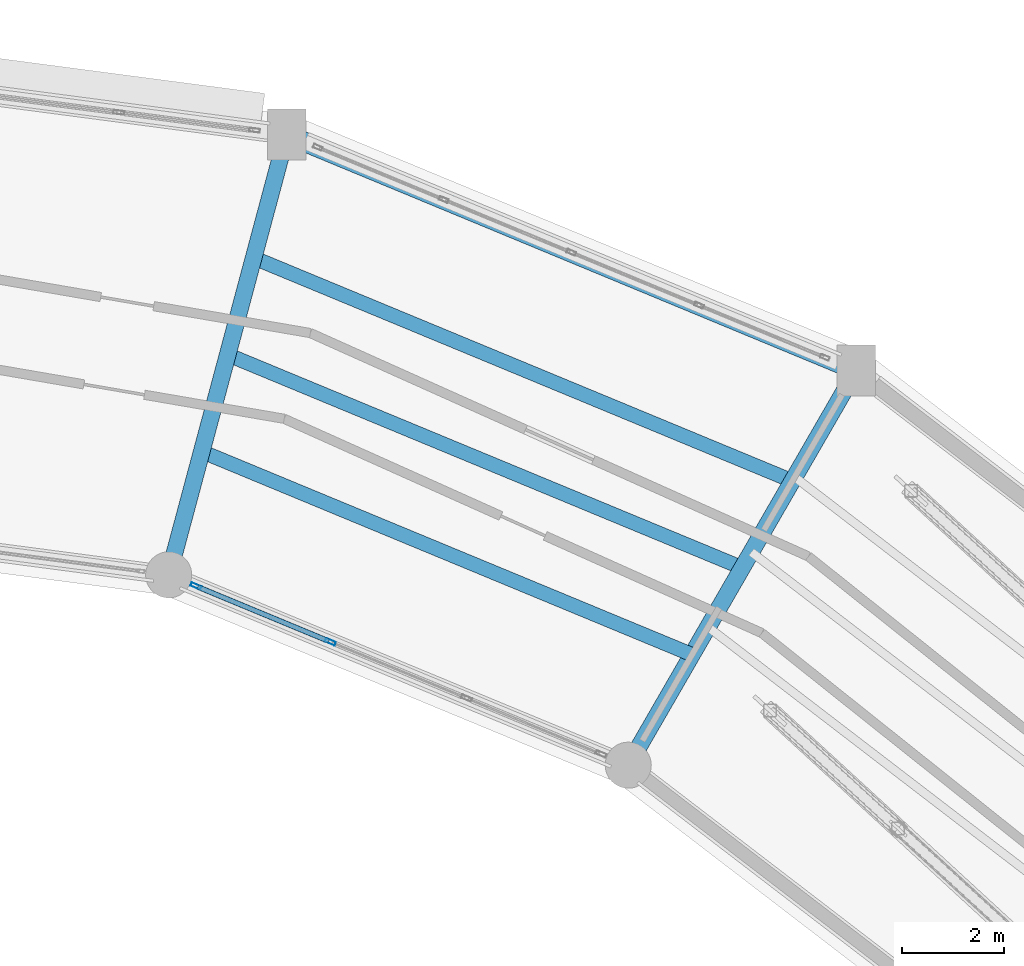
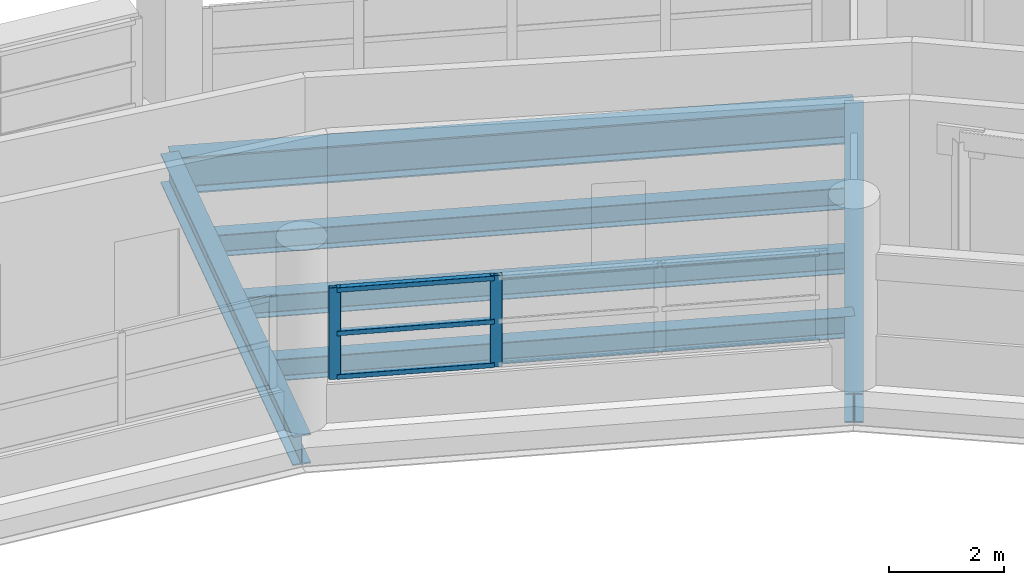
# One storey, part 58 of 121: 6 beams, 5 members, 1 element without a shape of its own.
"""IFC4 building model written with IfcOpenShell, lengths in metres."""

import ifcopenshell
import ifcopenshell.guid

model = None  # the IFC model being written
_history = None  # IfcOwnerHistory: only IFC2X3 demands one
_inside = {}  # id of a spatial element -> (the spatial element, [elements in it])
_under = {}  # id of a project, library or spatial element -> (it, [spatial elements below it])
_declared = {}  # id of a project -> (the project, [libraries it declares])
_typed = {}  # id of a type object -> (the type object, [elements of that type])
_made_of = {}  # id of a material, layer set ... -> (it, [elements and type objects made of it])


def new_model(schema):
    """Start an empty IFC model of exactly this schema.

    Asked for "IFC4X3", IfcOpenShell would pick the latest addendum, in which some entities
    have other attributes; the version numbers below select the first issue.
    IFC2X3 requires an IfcOwnerHistory on every rooted entity: one is made here for all.
    """
    global model, _history
    if schema == "IFC4X3":
        model = ifcopenshell.file(schema_version=(4, 3, 0, 0))
    else:
        model = ifcopenshell.file(schema=schema)
    _inside.clear()
    _under.clear()
    _declared.clear()
    _typed.clear()
    _made_of.clear()
    _history = None
    if model.schema == "IFC2X3":
        org = make("IfcOrganization", Name="unknown")
        user = make(
            "IfcPersonAndOrganization",
            ThePerson=make("IfcPerson", FamilyName="unknown"),
            TheOrganization=org,
        )
        app = make(
            "IfcApplication",
            ApplicationDeveloper=org,
            Version="unknown",
            ApplicationFullName="unknown",
            ApplicationIdentifier="unknown",
        )
        _history = make(
            "IfcOwnerHistory",
            OwningUser=user,
            OwningApplication=app,
            ChangeAction="ADDED",
            CreationDate=0,
        )
    return model


def make(cls, **values):
    """One entity of the class cls with the attributes given. An attribute that is None is left unset."""
    return model.create_entity(
        cls, **{name: value for name, value in values.items() if value is not None}
    )


def rooted(cls, **values):
    """An entity with a GlobalId (a new one), such as an element, a storey or a relation."""
    return make(cls, GlobalId=ifcopenshell.guid.new(), OwnerHistory=_history, **values)


def si_unit(unit_type, name, prefix=None):
    """IfcSIUnit, for example si_unit("LENGTHUNIT", "METRE", prefix="MILLI")."""
    return make("IfcSIUnit", UnitType=unit_type, Prefix=prefix, Name=name)


def assignment(units):
    """IfcUnitAssignment: the units of a project."""
    return None if units is None else make("IfcUnitAssignment", Units=units)


def point(xyz):
    """IfcCartesianPoint."""
    return None if xyz is None else make("IfcCartesianPoint", Coordinates=xyz)


def direction(xyz):
    """IfcDirection."""
    return None if xyz is None else make("IfcDirection", DirectionRatios=xyz)


def frame(location, z_axis=None, x_axis=None):
    """IfcAxis2Placement3D, a coordinate frame: its origin and axes. An axis left out is left unset."""
    return make(
        "IfcAxis2Placement3D",
        Location=point(location),
        Axis=direction(z_axis),
        RefDirection=direction(x_axis),
    )


def frame_2d(location, x_axis=None):
    """IfcAxis2Placement2D, a coordinate frame in the plane: its origin and x axis."""
    return make(
        "IfcAxis2Placement2D", Location=point(location), RefDirection=direction(x_axis)
    )


def origin():
    """The frame at (0, 0, 0) with its axes left unset."""
    return frame((0.0, 0.0, 0.0))


def origin_2d():
    """The frame at (0, 0) in the plane with its x axis left unset."""
    return frame_2d((0.0, 0.0))


def place(relative_to, where):
    """IfcLocalPlacement: puts the frame where relative to a parent placement (None: the world)."""
    return make(
        "IfcLocalPlacement", PlacementRelTo=relative_to, RelativePlacement=where
    )


def context(
    kind, dimensions, precision=None, world=None, true_north=None, identifier=None
):
    """IfcGeometricRepresentationContext, for example the 3D "Model" context."""
    return make(
        "IfcGeometricRepresentationContext",
        ContextIdentifier=identifier,
        ContextType=kind,
        CoordinateSpaceDimension=dimensions,
        Precision=precision,
        WorldCoordinateSystem=world,
        TrueNorth=true_north,
    )


def subcontext(parent, identifier, kind, view, scale=None):
    """IfcGeometricRepresentationSubContext, for example "Body" below "Model"."""
    return make(
        "IfcGeometricRepresentationSubContext",
        ContextIdentifier=identifier,
        ContextType=kind,
        ParentContext=parent,
        TargetScale=scale,
        TargetView=view,
    )


def project(units=None, contexts=None):
    """IfcProject with its units and contexts."""
    return rooted(
        "IfcProject",
        Name="project",
        RepresentationContexts=contexts,
        UnitsInContext=assignment(units),
    )


def spatial(cls, under=None, at=None, **own):
    """A site, building, storey or space (cls), placed at a placement, below another one or the project."""
    s = rooted(cls, ObjectPlacement=at, **own)
    if under is not None:
        _under.setdefault(under.id(), (under, []))[1].append(s)
    return s


def profile(cls, at=None, kind="AREA", **sizes):
    """A parametric profile (cls). Its sizes go by their IFC names, for example OverallWidth=200.0."""
    return make(cls, ProfileType=kind, Position=at, **sizes)


def hollow_rectangle(**sizes):
    """IfcRectangleHollowProfileDef."""
    return profile("IfcRectangleHollowProfileDef", **sizes)


def i_section(**sizes):
    """IfcIShapeProfileDef."""
    return profile("IfcIShapeProfileDef", **sizes)


def extrude(swept, where, along, depth):
    """IfcExtrudedAreaSolid: the profile swept, set in the frame where, extruded along a direction by depth."""
    return make(
        "IfcExtrudedAreaSolid",
        SweptArea=swept,
        Position=where,
        ExtrudedDirection=direction(along),
        Depth=depth,
    )


def shape(context_of_items, identifier, shape_type, items):
    """IfcShapeRepresentation: the items that make up one representation, for example the "Body"."""
    return make(
        "IfcShapeRepresentation",
        ContextOfItems=context_of_items,
        RepresentationIdentifier=identifier,
        RepresentationType=shape_type,
        Items=items,
    )


def material(Name=None, Category=None):
    """IfcMaterial."""
    return make("IfcMaterial", Name=Name, Category=Category)


def layer(
    of_material, thickness, ventilated=None, Name=None, Category=None, Priority=None
):
    """IfcMaterialLayer: one layer of a wall or slab, of a material (None: an air gap)."""
    return make(
        "IfcMaterialLayer",
        Material=of_material,
        LayerThickness=thickness,
        IsVentilated=ventilated,
        Name=Name,
        Category=Category,
        Priority=Priority,
    )


def layer_set(layers, Name=None):
    """IfcMaterialLayerSet."""
    return make("IfcMaterialLayerSet", MaterialLayers=layers, LayerSetName=Name)


def material_profile(
    of_material, cross_section, Name=None, Category=None, Priority=None
):
    """IfcMaterialProfile: a cross section and its material."""
    return make(
        "IfcMaterialProfile",
        Name=Name,
        Material=of_material,
        Profile=cross_section,
        Priority=Priority,
        Category=Category,
    )


def profile_set(profiles, Name=None, composite=None):
    """IfcMaterialProfileSet."""
    return make(
        "IfcMaterialProfileSet",
        Name=Name,
        MaterialProfiles=profiles,
        CompositeProfile=composite,
    )


def made_of(thing, what):
    """Note that an element or type object is made of a material, layer set ...; save() writes the relation."""
    if what is not None:
        _made_of.setdefault(what.id(), (what, []))[1].append(thing)
    return thing


def type_object(cls, material=None, **own):
    """A type object (cls), such as IfcWallType, which elements share."""
    return made_of(rooted(cls, **own), material)


def element(
    cls,
    number,
    at=None,
    inside=None,
    cuts=None,
    type_object=None,
    material=None,
    context=None,
    identifier="Body",
    shape_type=None,
    held_by="IfcProductDefinitionShape",
    body=None,
    shapes=None,
    **own,
):
    """One element of the class cls, such as IfcWall. Its Tag is "e" and its number.

    at: its placement. inside: the storey or other place that contains it. cuts: it is an
    opening in that element (IfcRelVoidsElement). A single representation is given by context,
    identifier, shape_type and body (its items); several are given by shapes. held_by: the class
    of the entity that holds the representations. save() writes the other relations.
    """
    e = rooted(cls, Tag="e%d" % number, ObjectPlacement=at, **own)
    if body is not None:
        shapes = [shape(context, identifier, shape_type, body)]
    if shapes is not None:
        e.Representation = make(held_by, Representations=shapes)
    if inside is not None:
        _inside.setdefault(inside.id(), (inside, []))[1].append(e)
    if cuts is not None:
        rooted(
            "IfcRelVoidsElement", RelatingBuildingElement=cuts, RelatedOpeningElement=e
        )
    if type_object is not None:
        _typed.setdefault(type_object.id(), (type_object, []))[1].append(e)
    return made_of(e, material)


def aggregate(whole, parts):
    """IfcRelAggregates: a whole, such as a stair, and the parts it consists of."""
    return rooted("IfcRelAggregates", RelatingObject=whole, RelatedObjects=parts)


def save(model, path):
    """Write the relations noted so far, then the file.

    IfcRelAggregates (storeys below a building ...), IfcRelContainedInSpatialStructure (elements
    in a storey), IfcRelDefinesByType, IfcRelAssociatesMaterial and IfcRelDeclares: one each for
    every whole, place, type object, material and project.
    """
    for whole, parts in _under.values():
        aggregate(whole, parts)
    for where, things in _inside.values():
        rooted(
            "IfcRelContainedInSpatialStructure",
            RelatedElements=things,
            RelatingStructure=where,
        )
    for kind, things in _typed.values():
        rooted("IfcRelDefinesByType", RelatedObjects=things, RelatingType=kind)
    for what, things in _made_of.values():
        rooted("IfcRelAssociatesMaterial", RelatedObjects=things, RelatingMaterial=what)
    for by, libraries in _declared.values():
        rooted("IfcRelDeclares", RelatingContext=by, RelatedDefinitions=libraries)
    model.write(path)


model = new_model("IFC4")

# Units and contexts
model_context = context("Model", 3, precision=1e-05, world=origin(), true_north=direction((0.0, 1.0)))
body_context = subcontext(model_context, "Body", "Model", "MODEL_VIEW")
ifc_project = project(units=[si_unit("LENGTHUNIT", "METRE"), si_unit("AREAUNIT", "SQUARE_METRE"), si_unit("VOLUMEUNIT", "CUBIC_METRE"), si_unit("PLANEANGLEUNIT", "RADIAN"), si_unit("MASSUNIT", "GRAM", prefix="KILO")], contexts=[model_context])

# Site, building, storey
site_placement = place(None, origin())
site = spatial("IfcSite", under=ifc_project, at=site_placement, CompositionType="ELEMENT")
building_placement = place(site_placement, origin())
building = spatial("IfcBuilding", under=site, at=building_placement, Name="Vespera Passage Community Centre", CompositionType="ELEMENT")
storey_placement = place(building_placement, frame((0.0, 0.0, 8.699951171875)))
storey = spatial("IfcBuildingStorey", under=building, at=storey_placement, Name="L02", CompositionType="ELEMENT", Elevation=8.699951171875)

# Beams
ifc_material_1 = material(Name="Steel ASTM A992 Grade 50", Category="steel")
ifc_material_profile_1 = material_profile(ifc_material_1, i_section(OverallWidth=0.32763671875, OverallDepth=0.62841796875, WebThickness=0.0166015625, FlangeThickness=0.027587890625, FilletRadius=0.0126953125, at=origin_2d()), Name="W24X146")
ifc_profile_set_1 = profile_set([ifc_material_profile_1], Name="Steel ASTM A992 Grade 50")
beam_type_1 = type_object("IfcBeamType", Name="BM-G-W24X146", PredefinedType="BEAM", material=ifc_profile_set_1)
for number, where, z_axis, x_axis, name in (
    (1, (96.60009765625, 97.716064453125, -0.654052734375), (0.499989191739, 0.866031643847, 0.0), (-0.866031643847, 0.499989191739, 0.0), "V4 L02 Radial Girder 4"),
    (2, (87.628173828125, 101.432373046875, -0.654052734375), (0.258811497245, 0.9659278487, 0.0), (-0.9659278487, 0.258811497245, 0.0), "V4 L02 Radial Girder 5"),
):
    element("IfcBeam", number, at=place(storey_placement, frame(where, z_axis=z_axis, x_axis=x_axis)), inside=storey, type_object=beam_type_1, Name=name, PredefinedType="BEAM", context=body_context, shape_type="SweptSolid", body=[
        extrude(i_section(OverallWidth=0.32763671875, OverallDepth=0.62841796875, WebThickness=0.0166015625, FlangeThickness=0.027587890625, FilletRadius=0.0126953125, at=origin_2d()), origin(), (0.0, 0.0, 1.0), 8.900146484375),
    ])
ifc_material_2 = material(Name="Steel ASTM A992 Grade 50", Category="steel")
ifc_material_profile_2 = material_profile(ifc_material_2, i_section(OverallWidth=0.280517578125, OverallDepth=0.46240234375, WebThickness=0.0107421875, FlangeThickness=0.017333984375, FilletRadius=0.01025390625, at=origin_2d()), Name="W18X76")
ifc_profile_set_2 = profile_set([ifc_material_profile_2], Name="Steel ASTM A992 Grade 50")
beam_type_2 = type_object("IfcBeamType", Name="BM-J-W18X76", PredefinedType="JOIST", material=ifc_profile_set_2)
beam_1_placement = place(storey_placement, frame((97.845947265625, 99.874267578125, -0.571044921875), z_axis=(-0.923873815861, 0.382697233288, 0.0), x_axis=(-0.382697233288, -0.923873815861, 0.0)))
element("IfcBeam", 3, at=beam_1_placement, inside=storey, type_object=beam_type_2, Name="V4 L02 Floor Joist 4.1", PredefinedType="JOIST", context=body_context, shape_type="SweptSolid", body=[
    extrude(i_section(OverallWidth=0.280517578125, OverallDepth=0.46240234375, WebThickness=0.0107421875, FlangeThickness=0.017333984375, FilletRadius=0.01025390625, at=origin_2d()), origin(), (0.0, 0.0, 1.0), 10.361572265625),
])
beam_2_placement = place(storey_placement, frame((98.824951171875, 101.570068359375, -0.571044921875), z_axis=(-0.923886018589, 0.382667773212, 0.0), x_axis=(-0.382667773212, -0.923886018589, 0.0)))
element("IfcBeam", 4, at=beam_2_placement, inside=storey, type_object=beam_type_2, Name="V4 L02 Floor Joist 4.2", PredefinedType="JOIST", context=body_context, shape_type="SweptSolid", body=[
    extrude(i_section(OverallWidth=0.280517578125, OverallDepth=0.46240234375, WebThickness=0.0107421875, FlangeThickness=0.017333984375, FilletRadius=0.01025390625, at=origin_2d()), origin(), (0.0, 0.0, 1.0), 10.872802734375),
])
beam_3_placement = place(storey_placement, frame((99.803955078125, 103.265625, -0.571044921875), z_axis=(-0.923878820173, 0.382685152097, 0.0), x_axis=(-0.382685152097, -0.923878820173, 0.0)))
element("IfcBeam", 5, at=beam_3_placement, inside=storey, type_object=beam_type_2, Name="V4 L02 Floor Joist 4.3", PredefinedType="JOIST", context=body_context, shape_type="SweptSolid", body=[
    extrude(i_section(OverallWidth=0.280517578125, OverallDepth=0.46240234375, WebThickness=0.0107421875, FlangeThickness=0.017333984375, FilletRadius=0.01025390625, at=origin_2d()), origin(), (0.0, 0.0, 1.0), 11.3837890625),
])
ifc_material_3 = material(Name="Steel ASTM A992 Grade 50", Category="steel")
ifc_material_profile_3 = material_profile(ifc_material_3, i_section(OverallWidth=0.382080078125, OverallDepth=0.779296875, WebThickness=0.01806640625, FlangeThickness=0.030029296875, FilletRadius=0.0166015625, at=origin_2d()), Name="W30X191")
ifc_profile_set_3 = profile_set([ifc_material_profile_3], Name="Steel ASTM A992 Grade 50")
beam_type_3 = type_object("IfcBeamType", Name="BM-SP-W30X191E", PredefinedType="SPANDREL", material=ifc_profile_set_3)
beam_4_placement = place(storey_placement, frame((101.050048828125, 105.423828125, -0.729736328125), z_axis=(-0.923877379647, 0.382688629799, 0.0), x_axis=(-0.382688629799, -0.923877379647, 0.0)))
element("IfcBeam", 6, at=beam_4_placement, inside=storey, type_object=beam_type_3, Name="V4 L02 Outer Spandrel 4", PredefinedType="SPANDREL", context=body_context, shape_type="SweptSolid", body=[
    extrude(i_section(OverallWidth=0.382080078125, OverallDepth=0.779296875, WebThickness=0.01806640625, FlangeThickness=0.030029296875, FilletRadius=0.0166015625, at=origin_2d()), origin(), (0.0, 0.0, 1.0), 12.034423828125),
])

# Curtain wall, members
ifc_material_4 = material(Name="Anodized aluminium 6063-T6", Category="aluminium")
ifc_layer = layer(ifc_material_4, 0.159912109375)
ifc_layer_set = layer_set([ifc_layer], Name="Anodized aluminium 6063-T6")
curtain_wall_type = type_object("IfcCurtainWallType", Name="CW-25E", PredefinedType="NOTDEFINED", material=ifc_layer_set)
curtain_wall_placement = place(storey_placement, origin())
curtain_wall = element("IfcCurtainWall", 7, at=curtain_wall_placement, inside=storey, type_object=curtain_wall_type, Name="V4 L02 Inner Court Curtain Wall 4", PredefinedType="NOTDEFINED")
ifc_material_5 = material(Name="Anodized aluminium 6063-T6", Category="aluminium")
ifc_material_profile_4 = material_profile(ifc_material_5, hollow_rectangle(XDim=0.074951171875, YDim=0.2099609375, WallThickness=0.0048828125, InnerFilletRadius=0.00244140625, OuterFilletRadius=0.0048828125, at=origin_2d()), Name="ALU210X75X5")
ifc_profile_set_4 = profile_set([ifc_material_profile_4], Name="Anodized aluminium 6063-T6")
member_type_1 = type_object("IfcMemberType", Name="MB-CWM-210E", PredefinedType="MULLION", material=ifc_profile_set_4)
member_1_placement = place(storey_placement, frame((90.784912109375, 100.124755859375, 0.820068359375), z_axis=(0.0, 0.0, 1.0), x_axis=(-0.382690463482, -0.923876620096, 0.0)))
member_1 = element("IfcMember", 8, at=member_1_placement, type_object=member_type_1, Name="CW-25E mullion 3", PredefinedType="MULLION", context=body_context, shape_type="SweptSolid", body=[
    extrude(hollow_rectangle(XDim=0.074951171875, YDim=0.2099609375, WallThickness=0.0048828125, InnerFilletRadius=0.00244140625, OuterFilletRadius=0.0048828125, at=origin_2d()), origin(), (0.0, 0.0, 1.0), 1.949462890625),
])
member_2_placement = place(storey_placement, frame((88.161376953125, 101.211669921875, 0.820068359375), z_axis=(0.0, 0.0, 1.0), x_axis=(-0.382690463482, -0.923876620096, 0.0)))
member_2 = element("IfcMember", 9, at=member_2_placement, type_object=member_type_1, Name="CW-25E mullion 4", PredefinedType="MULLION", context=body_context, shape_type="SweptSolid", body=[
    extrude(hollow_rectangle(XDim=0.074951171875, YDim=0.2099609375, WallThickness=0.0048828125, InnerFilletRadius=0.00244140625, OuterFilletRadius=0.0048828125, at=origin_2d()), origin(), (0.0, 0.0, 1.0), 1.949462890625),
])
ifc_material_6 = material(Name="Anodized aluminium 6063-T6", Category="aluminium")
ifc_material_profile_5 = material_profile(ifc_material_6, hollow_rectangle(XDim=0.10009765625, YDim=0.10009765625, WallThickness=0.00390625, InnerFilletRadius=0.001953125, OuterFilletRadius=0.00390625, at=origin_2d()), Name="ALU100X100X4")
ifc_profile_set_5 = profile_set([ifc_material_profile_5], Name="Anodized aluminium 6063-T6")
member_type_2 = type_object("IfcMemberType", Name="MB-CWT-100E", PredefinedType="USERDEFINED", material=ifc_profile_set_5)
member_3_placement = place(storey_placement, frame((90.750244140625, 100.13916015625, 0.8701171875), z_axis=(-0.923863992677, 0.382720946689, 0.0), x_axis=(-0.382720946689, -0.923863992677, 0.0)))
member_3 = element("IfcMember", 10, at=member_3_placement, type_object=member_type_2, Name="CW-25E transom 3.1", ObjectType="TRANSOM", PredefinedType="USERDEFINED", context=body_context, shape_type="SweptSolid", body=[
    extrude(hollow_rectangle(XDim=0.10009765625, YDim=0.10009765625, WallThickness=0.00390625, InnerFilletRadius=0.001953125, OuterFilletRadius=0.00390625, at=origin_2d()), origin(), (0.0, 0.0, 1.0), 2.7646484375),
])
member_4_placement = place(storey_placement, frame((90.750244140625, 100.13916015625, 1.794677734375), z_axis=(-0.923863992677, 0.382720946689, 0.0), x_axis=(-0.382720946689, -0.923863992677, 0.0)))
member_4 = element("IfcMember", 11, at=member_4_placement, type_object=member_type_2, Name="CW-25E transom 3.2", ObjectType="TRANSOM", PredefinedType="USERDEFINED", context=body_context, shape_type="SweptSolid", body=[
    extrude(hollow_rectangle(XDim=0.10009765625, YDim=0.10009765625, WallThickness=0.00390625, InnerFilletRadius=0.001953125, OuterFilletRadius=0.00390625, at=origin_2d()), origin(), (0.0, 0.0, 1.0), 2.7646484375),
])
member_5_placement = place(storey_placement, frame((90.750244140625, 100.13916015625, 2.719482421875), z_axis=(-0.923863992677, 0.382720946689, 0.0), x_axis=(-0.382720946689, -0.923863992677, 0.0)))
member_5 = element("IfcMember", 12, at=member_5_placement, type_object=member_type_2, Name="CW-25E transom 3.3", ObjectType="TRANSOM", PredefinedType="USERDEFINED", context=body_context, shape_type="SweptSolid", body=[
    extrude(hollow_rectangle(XDim=0.10009765625, YDim=0.10009765625, WallThickness=0.00390625, InnerFilletRadius=0.001953125, OuterFilletRadius=0.00390625, at=origin_2d()), origin(), (0.0, 0.0, 1.0), 2.7646484375),
])
aggregate(curtain_wall, [member_1, member_2, member_3, member_4, member_5])

save(model, "model.ifc")
